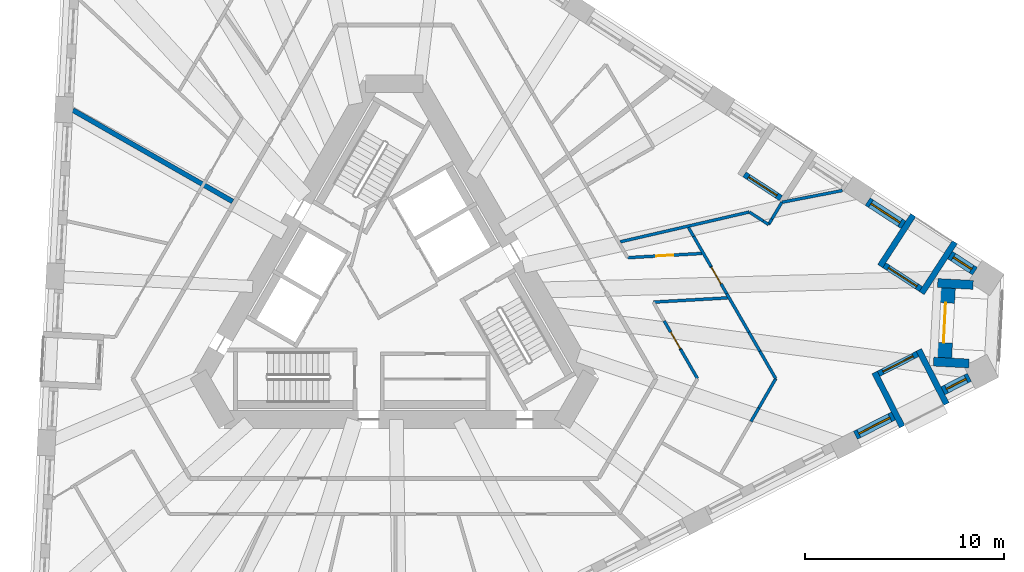
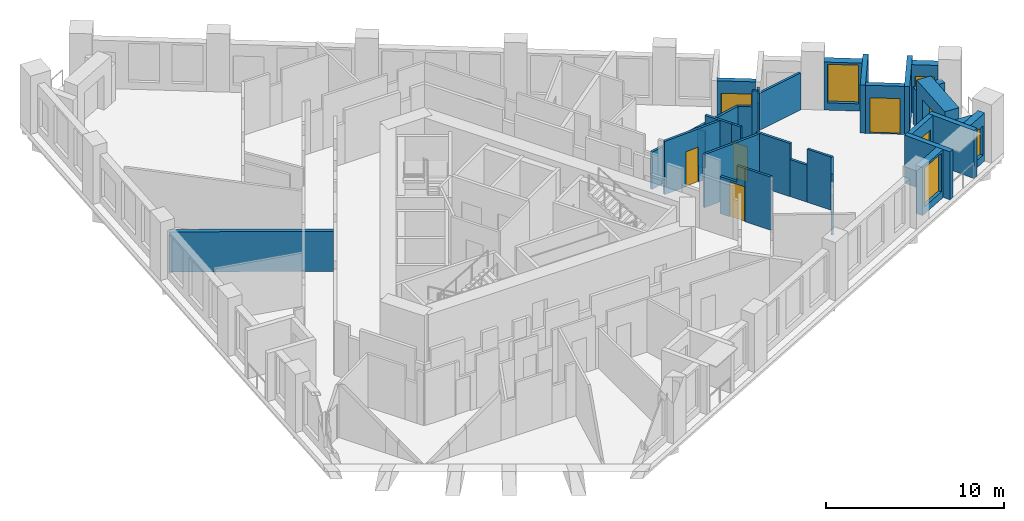
# One storey, part 6 of 13: 33 walls, 7 doors, 4 windows, 11 openings.
"""IFC4 building model written with IfcOpenShell, lengths in metres."""

from ifc_helpers import new_model, si_unit, direction, frame, frame_2d, origin, place, context, subcontext, project, spatial, polyline, rectangle, outline, extrude, material, layer, layer_set, type_object, element, fill, save


model = new_model("IFC4")

# Units and contexts
model_context = context("Model", 3, precision=1e-05, world=origin(), true_north=direction((0.0, 1.0)))
body_context = subcontext(model_context, "Body", "Model", "MODEL_VIEW")
ifc_project = project(units=[si_unit("LENGTHUNIT", "METRE"), si_unit("AREAUNIT", "SQUARE_METRE"), si_unit("VOLUMEUNIT", "CUBIC_METRE"), si_unit("PLANEANGLEUNIT", "RADIAN"), si_unit("MASSUNIT", "GRAM", prefix="KILO")], contexts=[model_context])

# Site, building, storey
site_placement = place(None, origin())
site = spatial("IfcSite", under=ifc_project, at=site_placement, CompositionType="ELEMENT")
building_placement = place(site_placement, origin())
building = spatial("IfcBuilding", under=site, at=building_placement, Name="Tramontana Tower", CompositionType="ELEMENT")
storey_placement = place(building_placement, frame((0.0, 0.0, 153.60009765625)))
storey = spatial("IfcBuildingStorey", under=building, at=storey_placement, Name="L35", CompositionType="ELEMENT", Elevation=153.60009765625)

# Wall, opening, window
ifc_material_1 = material(Name="Precast concrete 60 MPa", Category="concrete")
ifc_layer_1 = layer(ifc_material_1, 0.449951171875)
ifc_layer_set_1 = layer_set([ifc_layer_1], Name="Precast concrete 60 MPa, 450 mm")
wall_type_1 = type_object("IfcWallType", Name="EW1 Stone-faced precast wall 450", PredefinedType="SOLIDWALL", material=ifc_layer_set_1)
wall_1_placement = place(storey_placement, frame((23.1357421875, -7.094970703125, 0.0), z_axis=(0.0, 0.0, 1.0), x_axis=(0.890979432498, 0.454043666254, 0.0)))
wall_1 = element("IfcWall", 1, at=wall_1_placement, inside=storey, type_object=wall_type_1, Name="External wall L35 face 1 bay 6", PredefinedType="SOLIDWALL", context=body_context, shape_type="SweptSolid", body=[
    extrude(rectangle(XDim=2.140625, YDim=0.449951171875, at=frame_2d((1.0703125, 0.0))), origin(), (0.0, 0.0, 1.0), 3.2998046875),
])
opening_1_placement = place(wall_1_placement, frame((0.1953125, 0.0, 0.5)))
opening_1 = element("IfcOpeningElement", 2, at=opening_1_placement, cuts=wall_1, Name="Opening M2", PredefinedType="OPENING", context=body_context, shape_type="SweptSolid", body=[
    extrude(rectangle(XDim=1.75, YDim=2.64990234375, at=frame_2d((0.875, 1.324951171875))), frame((0.0, 0.23486328125, 0.0), z_axis=(0.0, -1.0, 0.0), x_axis=(1.0, 0.0, 0.0)), (0.0, 0.0, 1.0), 0.469970703125),
])
ifc_material_2 = material(Name="Aluminum frame, double glazing unit", Category="aluminium")
window_type_1 = type_object("IfcWindowType", Name="M2 Window 1.75 x 2.65", PartitioningType="SINGLE_PANEL", PredefinedType="WINDOW", material=ifc_material_2)
window_1_placement = place(opening_1_placement, origin())
window_1 = element("IfcWindow", 3, at=window_1_placement, inside=storey, type_object=window_type_1, Name="Window M2 L35 face 1 module 16", OverallHeight=2.64990234375, OverallWidth=1.75, PartitioningType="SINGLE_PANEL", PredefinedType="WINDOW", context=body_context, shape_type="SweptSolid", body=[
    extrude(rectangle(XDim=1.75, YDim=2.64990234375, at=frame_2d((0.875, 1.324951171875))), frame((0.0, 0.030029296875, 0.0), z_axis=(0.0, -1.0, 0.0), x_axis=(1.0, 0.0, 0.0)), (0.0, 0.0, 1.0), 0.06005859375),
])
fill(opening_1, window_1)

wall_2_placement = place(storey_placement, frame((27.529296875, -4.856201171875, 0.0), z_axis=(0.0, 0.0, 1.0), x_axis=(0.890994495378, 0.454014106836, 0.0)))
wall_2 = element("IfcWall", 4, at=wall_2_placement, inside=storey, type_object=wall_type_1, Name="External wall L35 face 1 bay 6", PredefinedType="SOLIDWALL", context=body_context, shape_type="SweptSolid", body=[
    extrude(rectangle(XDim=1.49072265625, YDim=0.449951171875, at=frame_2d((0.745361328125, 0.0))), origin(), (0.0, 0.0, 1.0), 3.2998046875),
])
opening_2_placement = place(wall_2_placement, frame((0.1953125, 0.0, 0.5)))
opening_2 = element("IfcOpeningElement", 5, at=opening_2_placement, cuts=wall_2, Name="Opening N2L", PredefinedType="OPENING", context=body_context, shape_type="SweptSolid", body=[
    extrude(rectangle(XDim=1.10009765625, YDim=2.0, at=frame_2d((0.550048828125, 1.0))), frame((0.0, 0.23486328125, 0.0), z_axis=(0.0, -1.0, 0.0), x_axis=(1.0, 0.0, 0.0)), (0.0, 0.0, 1.0), 0.469970703125),
])
ifc_material_3 = material(Name="Aluminum frame, double glazing unit", Category="aluminium")
window_type_2 = type_object("IfcWindowType", Name="N2L Window 1.1 x 2", PartitioningType="SINGLE_PANEL", PredefinedType="WINDOW", material=ifc_material_3)
window_2_placement = place(opening_2_placement, origin())
window_2 = element("IfcWindow", 6, at=window_2_placement, inside=storey, type_object=window_type_2, Name="Window N2L L35 face 1 module 18", OverallHeight=2.0, OverallWidth=1.10009765625, PartitioningType="SINGLE_PANEL", PredefinedType="WINDOW", context=body_context, shape_type="SweptSolid", body=[
    extrude(rectangle(XDim=1.10009765625, YDim=2.0, at=frame_2d((0.550048828125, 1.0))), frame((0.0, 0.030029296875, 0.0), z_axis=(0.0, -1.0, 0.0), x_axis=(1.0, 0.0, 0.0)), (0.0, 0.0, 1.0), 0.06005859375),
])
fill(opening_2, window_2)

wall_3_placement = place(storey_placement, frame((29.13623046875, 1.14013671875, 0.0), z_axis=(0.0, 0.0, 1.0), x_axis=(-0.838668089672, 0.544642851203, 0.0)))
wall_3 = element("IfcWall", 7, at=wall_3_placement, inside=storey, type_object=wall_type_1, Name="External wall L35 face 2 bay 1", PredefinedType="SOLIDWALL", context=body_context, shape_type="SweptSolid", body=[
    extrude(rectangle(XDim=1.490478515625, YDim=0.449951171875, at=frame_2d((0.7451171875, 0.0))), origin(), (0.0, 0.0, 1.0), 3.2998046875),
])
opening_3_placement = place(wall_3_placement, frame((0.1953125, 0.0, 0.5)))
opening_3 = element("IfcOpeningElement", 8, at=opening_3_placement, cuts=wall_3, Name="Opening N2L", PredefinedType="OPENING", context=body_context, shape_type="SweptSolid", body=[
    extrude(rectangle(XDim=1.10009765625, YDim=2.0, at=frame_2d((0.550048828125, 1.0))), frame((0.0, 0.23486328125, 0.0), z_axis=(0.0, -1.0, 0.0), x_axis=(1.0, 0.0, 0.0)), (0.0, 0.0, 1.0), 0.469970703125),
])
window_3_placement = place(opening_3_placement, origin())
window_3 = element("IfcWindow", 9, at=window_3_placement, inside=storey, type_object=window_type_2, Name="Window N2L L35 face 2 module 1", OverallHeight=2.0, OverallWidth=1.10009765625, PartitioningType="SINGLE_PANEL", PredefinedType="WINDOW", context=body_context, shape_type="SweptSolid", body=[
    extrude(rectangle(XDim=1.10009765625, YDim=2.0, at=frame_2d((0.550048828125, 1.0))), frame((0.0, 0.030029296875, 0.0), z_axis=(0.0, -1.0, 0.0), x_axis=(1.0, 0.0, 0.0)), (0.0, 0.0, 1.0), 0.06005859375),
])
fill(opening_3, window_3)

wall_4_placement = place(storey_placement, frame((25.5458984375, 3.471923828125, 0.0), z_axis=(0.0, 0.0, 1.0), x_axis=(-0.838675466927, 0.544631491171, 0.0)))
wall_4 = element("IfcWall", 10, at=wall_4_placement, inside=storey, type_object=wall_type_1, Name="External wall L35 face 2 bay 1", PredefinedType="SOLIDWALL", context=body_context, shape_type="SweptSolid", body=[
    extrude(rectangle(XDim=2.140380859375, YDim=0.449951171875, at=frame_2d((1.0703125, 0.0))), origin(), (0.0, 0.0, 1.0), 3.2998046875),
])
opening_4_placement = place(wall_4_placement, frame((0.1953125, 0.0, 0.5)))
opening_4 = element("IfcOpeningElement", 11, at=opening_4_placement, cuts=wall_4, Name="Opening M2", PredefinedType="OPENING", context=body_context, shape_type="SweptSolid", body=[
    extrude(rectangle(XDim=1.75, YDim=2.64990234375, at=frame_2d((0.875, 1.324951171875))), frame((0.0, 0.23486328125, 0.0), z_axis=(0.0, -1.0, 0.0), x_axis=(1.0, 0.0, 0.0)), (0.0, 0.0, 1.0), 0.469970703125),
])
window_4_placement = place(opening_4_placement, origin())
window_4 = element("IfcWindow", 12, at=window_4_placement, inside=storey, type_object=window_type_1, Name="Window M2 L35 face 2 module 3", OverallHeight=2.64990234375, OverallWidth=1.75, PartitioningType="SINGLE_PANEL", PredefinedType="WINDOW", context=body_context, shape_type="SweptSolid", body=[
    extrude(rectangle(XDim=1.75, YDim=2.64990234375, at=frame_2d((0.875, 1.324951171875))), frame((0.0, 0.030029296875, 0.0), z_axis=(0.0, -1.0, 0.0), x_axis=(1.0, 0.0, 0.0)), (0.0, 0.0, 1.0), 0.06005859375),
])
fill(opening_4, window_4)

# Walls
for number, where, z_axis, x_axis, name in (
    (13, (29.04296875, 0.45556640625, 0.0), (0.0, 0.0, 1.0), (-0.998625399692, 0.05241479839, 0.0), "Corner loggia side wall L35 K32l"),
    (14, (28.836181640625, -3.489013671875, 0.0), (0.0, 0.0, 1.0), (-0.998625399692, 0.05241479839, 0.0), "Corner loggia side wall L35 K32r"),
):
    element("IfcWall", number, at=place(storey_placement, frame(where, z_axis=z_axis, x_axis=x_axis)), inside=storey, type_object=wall_type_1, Name=name, PredefinedType="SOLIDWALL", context=body_context, shape_type="SweptSolid", body=[
        extrude(rectangle(XDim=1.779296875, YDim=0.449951171875, at=frame_2d((0.8896484375, 0.0))), origin(), (0.0, 0.0, 1.0), 2.5498046875),
    ])

# Wall, opening, door
ifc_material_4 = material(Name="Precast concrete 60 MPa", Category="concrete")
ifc_layer_2 = layer(ifc_material_4, 0.89990234375)
ifc_layer_set_2 = layer_set([ifc_layer_2], Name="EW2 Stone-faced corner loggia wall 900")
wall_type_2 = type_object("IfcWallType", Name="EW2 Stone-faced corner loggia wall 900", PredefinedType="SOLIDWALL", material=ifc_layer_set_2)
wall_5_placement = place(storey_placement, frame((27.70361328125, 0.300537109375, 0.0), z_axis=(0.0, 0.0, 1.0), x_axis=(-0.052317189757, -0.998630518088, 0.0)))
wall_5 = element("IfcWall", 15, at=wall_5_placement, inside=storey, type_object=wall_type_2, Name="Corner loggia wall L35 K32", PredefinedType="SOLIDWALL", context=body_context, shape_type="SweptSolid", body=[
    extrude(rectangle(XDim=3.5, YDim=0.89990234375, at=frame_2d((1.75, 0.0))), origin(), (0.0, 0.0, 1.0), 3.2998046875),
])
opening_5_placement = place(wall_5_placement, frame((0.75, 0.0, 0.0)))
opening_5 = element("IfcOpeningElement", 16, at=opening_5_placement, cuts=wall_5, Name="Opening BD-32C", PredefinedType="OPENING", context=body_context, shape_type="SweptSolid", body=[
    extrude(rectangle(XDim=2.0, YDim=2.39990234375, at=frame_2d((1.0, 1.199951171875))), frame((0.0, 0.4599609375, 0.0), z_axis=(0.0, -1.0, 0.0), x_axis=(1.0, 0.0, 0.0)), (0.0, 0.0, 1.0), 0.919921875),
])
ifc_material_5 = material(Name="Aluminum frame, double glazing unit", Category="aluminium")
door_type_1 = type_object("IfcDoorType", Name="BC1 Sliding door 2 x 2.4", OperationType="SLIDING_TO_LEFT", PredefinedType="DOOR", material=ifc_material_5)
door_1_placement = place(opening_5_placement, origin())
door_1 = element("IfcDoor", 17, at=door_1_placement, inside=storey, type_object=door_type_1, Name="Corner loggia door L35 K32", OperationType="SLIDING_TO_LEFT", OverallHeight=2.39990234375, OverallWidth=2.0, PredefinedType="DOOR", context=body_context, shape_type="SweptSolid", body=[
    extrude(rectangle(XDim=2.0, YDim=2.39990234375, at=frame_2d((1.0, 1.199951171875))), frame((0.0, 0.02490234375, 0.0), z_axis=(0.0, -1.0, 0.0), x_axis=(1.0, 0.0, 0.0)), (0.0, 0.0, 1.0), 0.050048828125),
])
fill(opening_5, door_1)

ifc_material_6 = material(Name="Precast concrete 60 MPa", Category="concrete")
ifc_layer_3 = layer(ifc_material_6, 0.300048828125)
ifc_layer_set_3 = layer_set([ifc_layer_3], Name="LW1 Stone-faced loggia wall 300")
wall_type_3 = type_object("IfcWallType", Name="LW1 Stone-faced loggia wall 300", PredefinedType="SOLIDWALL", material=ifc_layer_set_3)
wall_6_placement = place(storey_placement, frame((24.30029296875, -4.00439453125, 0.0), z_axis=(0.0, 0.0, 1.0), x_axis=(0.891013126725, 0.4539775413, 0.0)))
wall_6 = element("IfcWall", 18, at=wall_6_placement, inside=storey, type_object=wall_type_3, Name="Loggia wall L35 G3S1.16", PredefinedType="SOLIDWALL", context=body_context, shape_type="SweptSolid", body=[
    extrude(rectangle(XDim=2.1904296875, YDim=0.300048828125, at=frame_2d((1.09521484375, 0.0))), origin(), (0.0, 0.0, 1.0), 3.2998046875),
])
opening_6_placement = place(wall_6_placement, frame((0.245361328125, 0.0, 0.0)))
opening_6 = element("IfcOpeningElement", 19, at=opening_6_placement, cuts=wall_6, Name="Opening BD-3S1-16", PredefinedType="OPENING", context=body_context, shape_type="SweptSolid", body=[
    extrude(rectangle(XDim=1.699951171875, YDim=2.449951171875, at=frame_2d((0.85009765625, 1.22509765625))), frame((0.0, 0.159912109375, 0.0), z_axis=(0.0, -1.0, 0.0), x_axis=(1.0, 0.0, 0.0)), (0.0, 0.0, 1.0), 0.320068359375),
])
ifc_material_7 = material(Name="Aluminum frame, double glazing unit", Category="aluminium")
door_type_2 = type_object("IfcDoorType", Name="BD2 Sliding door 1.7 x 2.45", OperationType="SLIDING_TO_LEFT", PredefinedType="DOOR", material=ifc_material_7)
door_2_placement = place(opening_6_placement, origin())
door_2 = element("IfcDoor", 20, at=door_2_placement, inside=storey, type_object=door_type_2, Name="Loggia door L35 G3S1.16", OperationType="SLIDING_TO_LEFT", OverallHeight=2.449951171875, OverallWidth=1.699951171875, PredefinedType="DOOR", context=body_context, shape_type="SweptSolid", body=[
    extrude(rectangle(XDim=1.699951171875, YDim=2.449951171875, at=frame_2d((0.85009765625, 1.22509765625))), frame((0.0, 0.02490234375, 0.0), z_axis=(0.0, -1.0, 0.0), x_axis=(1.0, 0.0, 0.0)), (0.0, 0.0, 1.0), 0.050048828125),
])
fill(opening_6, door_2)

# Walls
wall_7_placement = place(storey_placement, frame((25.483154296875, -6.656494140625, 0.0), z_axis=(0.0, 0.0, 1.0), x_axis=(-0.453988129332, 0.891007731968, 0.0)))
element("IfcWall", 21, at=wall_7_placement, inside=storey, type_object=wall_type_3, Name="Loggia return L35 G3S1.16a", PredefinedType="SOLIDWALL", context=body_context, shape_type="SweptSolid", body=[
    extrude(rectangle(XDim=3.05029296875, YDim=0.300048828125, at=frame_2d((1.525146484375, 0.0))), origin(), (0.0, 0.0, 1.0), 3.2998046875),
])
wall_8_placement = place(storey_placement, frame((27.7021484375, -5.525634765625, 0.0), z_axis=(0.0, 0.0, 1.0), x_axis=(-0.453956959009, 0.891023613249, 0.0)))
element("IfcWall", 22, at=wall_8_placement, inside=storey, type_object=wall_type_3, Name="Loggia return L35 G3S1.16b", PredefinedType="SOLIDWALL", context=body_context, shape_type="SweptSolid", body=[
    extrude(rectangle(XDim=3.0498046875, YDim=0.300048828125, at=frame_2d((1.52490234375, 0.0))), origin(), (0.0, 0.0, 1.0), 3.2998046875),
])

# Wall, opening, door
wall_9_placement = place(storey_placement, frame((26.4228515625, 0.249267578125, 0.0), z_axis=(0.0, 0.0, 1.0), x_axis=(-0.838659986147, 0.544655329209, 0.0)))
wall_9 = element("IfcWall", 23, at=wall_9_placement, inside=storey, type_object=wall_type_3, Name="Loggia wall L35 G3S2.1", PredefinedType="SOLIDWALL", context=body_context, shape_type="SweptSolid", body=[
    extrude(rectangle(XDim=2.190673828125, YDim=0.300048828125, at=frame_2d((1.09521484375, 0.0))), origin(), (0.0, 0.0, 1.0), 3.2998046875),
])
opening_7_placement = place(wall_9_placement, frame((0.245361328125, 0.0, 0.0)))
opening_7 = element("IfcOpeningElement", 24, at=opening_7_placement, cuts=wall_9, Name="Opening BD-3S2-01", PredefinedType="OPENING", context=body_context, shape_type="SweptSolid", body=[
    extrude(rectangle(XDim=1.699951171875, YDim=2.449951171875, at=frame_2d((0.85009765625, 1.22509765625))), frame((0.0, 0.159912109375, 0.0), z_axis=(0.0, -1.0, 0.0), x_axis=(1.0, 0.0, 0.0)), (0.0, 0.0, 1.0), 0.320068359375),
])
door_3_placement = place(opening_7_placement, origin())
door_3 = element("IfcDoor", 25, at=door_3_placement, inside=storey, type_object=door_type_2, Name="Loggia door L35 G3S2.1", OperationType="SLIDING_TO_LEFT", OverallHeight=2.449951171875, OverallWidth=1.699951171875, PredefinedType="DOOR", context=body_context, shape_type="SweptSolid", body=[
    extrude(rectangle(XDim=1.699951171875, YDim=2.449951171875, at=frame_2d((0.85009765625, 1.22509765625))), frame((0.0, 0.02490234375, 0.0), z_axis=(0.0, -1.0, 0.0), x_axis=(1.0, 0.0, 0.0)), (0.0, 0.0, 1.0), 0.050048828125),
])
fill(opening_7, door_3)

# Walls
for number, where, z_axis, x_axis, name in (
    (26, (28.1279296875, 2.599853515625, 0.0), (0.0, 0.0, 1.0), (-0.544611292451, -0.838688583525, 0.0), "Loggia return L35 G3S2.1a"),
    (27, (26.039306640625, 3.956298828125, 0.0), (0.0, 0.0, 1.0), (-0.544611292451, -0.838688583525, 0.0), "Loggia return L35 G3S2.1b"),
):
    element("IfcWall", number, at=place(storey_placement, frame(where, z_axis=z_axis, x_axis=x_axis)), inside=storey, type_object=wall_type_3, Name=name, PredefinedType="SOLIDWALL", context=body_context, shape_type="SweptSolid", body=[
        extrude(rectangle(XDim=3.050048828125, YDim=0.300048828125, at=frame_2d((1.52490234375, 0.0))), origin(), (0.0, 0.0, 1.0), 3.2998046875),
    ])

# Wall, opening, door
wall_10_placement = place(storey_placement, frame((19.40185546875, 4.808837890625, 0.0), z_axis=(0.0, 0.0, 1.0), x_axis=(-0.838659986147, 0.544655329209, 0.0)))
wall_10 = element("IfcWall", 28, at=wall_10_placement, inside=storey, type_object=wall_type_3, Name="Loggia wall L35 G3S2.4", PredefinedType="SOLIDWALL", context=body_context, shape_type="SweptSolid", body=[
    extrude(rectangle(XDim=2.190673828125, YDim=0.300048828125, at=frame_2d((1.09521484375, 0.0))), origin(), (0.0, 0.0, 1.0), 3.2998046875),
])
opening_8_placement = place(wall_10_placement, frame((0.245361328125, 0.0, 0.0)))
opening_8 = element("IfcOpeningElement", 29, at=opening_8_placement, cuts=wall_10, Name="Opening BD-3S2-04", PredefinedType="OPENING", context=body_context, shape_type="SweptSolid", body=[
    extrude(rectangle(XDim=1.699951171875, YDim=2.449951171875, at=frame_2d((0.85009765625, 1.22509765625))), frame((0.0, 0.159912109375, 0.0), z_axis=(0.0, -1.0, 0.0), x_axis=(1.0, 0.0, 0.0)), (0.0, 0.0, 1.0), 0.320068359375),
])
door_4_placement = place(opening_8_placement, origin())
door_4 = element("IfcDoor", 30, at=door_4_placement, inside=storey, type_object=door_type_2, Name="Loggia door L35 G3S2.4", OperationType="SLIDING_TO_LEFT", OverallHeight=2.449951171875, OverallWidth=1.699951171875, PredefinedType="DOOR", context=body_context, shape_type="SweptSolid", body=[
    extrude(rectangle(XDim=1.699951171875, YDim=2.449951171875, at=frame_2d((0.85009765625, 1.22509765625))), frame((0.0, 0.02490234375, 0.0), z_axis=(0.0, -1.0, 0.0), x_axis=(1.0, 0.0, 0.0)), (0.0, 0.0, 1.0), 0.050048828125),
])
fill(opening_8, door_4)

# Wall
ifc_material_8 = material(Name="Gypsum board partition")
ifc_layer_4 = layer(ifc_material_8, 0.14990234375)
ifc_layer_set_4 = layer_set([ifc_layer_4], Name="PARTITION 150")
wall_type_4 = type_object("IfcWallType", Name="PARTITION 150", PredefinedType="PARTITIONING", material=ifc_layer_set_4)
wall_11_placement = place(storey_placement, frame((11.334716796875, 2.617431640625, 0.0), z_axis=(0.0, 0.0, 1.0), x_axis=(0.974352177645, 0.225028518011, 0.0)))
element("IfcWall", 31, at=wall_11_placement, inside=storey, type_object=wall_type_4, Name="Wall v32-pw24-0", PredefinedType="PARTITIONING", context=body_context, shape_type="SweptSolid", body=[
    extrude(rectangle(XDim=6.646240234375, YDim=0.14990234375, at=frame_2d((3.3232421875, 0.0))), origin(), (0.0, 0.0, 1.0), 2.5498046875),
])

# Wall, opening, door
wall_12_placement = place(storey_placement, frame((11.708251953125, 1.82080078125, 0.0), z_axis=(0.0, 0.0, 1.0), x_axis=(0.998371120979, 0.0570535257, 0.0)))
wall_12 = element("IfcWall", 32, at=wall_12_placement, inside=storey, type_object=wall_type_4, Name="Wall v32-pw26", PredefinedType="PARTITIONING", context=body_context, shape_type="SweptSolid", body=[
    extrude(rectangle(XDim=3.722900390625, YDim=0.14990234375, at=frame_2d((1.861328125, 0.0))), origin(), (0.0, 0.0, 1.0), 3.64990234375),
])
opening_9_placement = place(wall_12_placement, frame((1.4365234375, 0.0, 0.0)))
opening_9 = element("IfcOpeningElement", 33, at=opening_9_placement, cuts=wall_12, Name="Opening B3C-16", PredefinedType="OPENING", context=body_context, shape_type="SweptSolid", body=[
    extrude(rectangle(XDim=0.85009765625, YDim=2.39990234375, at=frame_2d((0.425048828125, 1.199951171875))), frame((0.0, 0.0849609375, 0.0), z_axis=(0.0, -1.0, 0.0), x_axis=(1.0, 0.0, 0.0)), (0.0, 0.0, 1.0), 0.169921875),
])
ifc_material_9 = material(Name="Painted timber", Category="wood")
door_type_3 = type_object("IfcDoorType", Name="DOOR BATH 850", OperationType="SINGLE_SWING_LEFT", PredefinedType="DOOR", material=ifc_material_9)
door_5_placement = place(opening_9_placement, origin())
door_5 = element("IfcDoor", 34, at=door_5_placement, inside=storey, type_object=door_type_3, Name="Door B3C-16", OperationType="SINGLE_SWING_RIGHT", OverallHeight=2.39990234375, OverallWidth=0.85009765625, PredefinedType="DOOR", context=body_context, shape_type="SweptSolid", body=[
    extrude(rectangle(XDim=0.85009765625, YDim=2.39990234375, at=frame_2d((0.425048828125, 1.199951171875))), frame((0.0, 0.02490234375, 0.0), z_axis=(0.0, -1.0, 0.0), x_axis=(1.0, 0.0, 0.0)), (0.0, 0.0, 1.0), 0.050048828125),
])
fill(opening_9, door_5)

wall_13_placement = place(storey_placement, frame((13.541748046875, -1.355224609375, 0.0), z_axis=(0.0, 0.0, 1.0), x_axis=(0.500021249735, -0.866013134896, 0.0)))
wall_13 = element("IfcWall", 35, at=wall_13_placement, inside=storey, type_object=wall_type_4, Name="Wall v32-pw27-1", PredefinedType="PARTITIONING", context=body_context, shape_type="SweptSolid", body=[
    extrude(outline(polyline([(0.0, 0.0), (1.650390625, 0.0), (1.650146484375, 3.64990234375), (1.103759765625, 3.64990234375), (1.103759765625, 2.5498046875), (0.0, 2.5498046875), (0.0, 0.0)])), frame((0.0, 0.074951171875, 0.0), z_axis=(0.0, -1.0, 0.0), x_axis=(1.0, 0.0, 0.0)), (0.0, 0.0, 1.0), 0.14990234375),
])
opening_10_placement = place(wall_13_placement, frame((0.650146484375, 0.0, 0.0)))
opening_10 = element("IfcOpeningElement", 36, at=opening_10_placement, cuts=wall_13, Name="Opening B3C-15", PredefinedType="OPENING", context=body_context, shape_type="SweptSolid", body=[
    extrude(rectangle(XDim=0.949951171875, YDim=2.39990234375, at=frame_2d((0.47509765625, 1.199951171875))), frame((0.0, 0.0849609375, 0.0), z_axis=(0.0, -1.0, 0.0), x_axis=(1.0, 0.0, 0.0)), (0.0, 0.0, 1.0), 0.169921875),
])
ifc_material_10 = material(Name="Painted timber", Category="wood")
door_type_4 = type_object("IfcDoorType", Name="DOOR ROOM 950", OperationType="SINGLE_SWING_LEFT", PredefinedType="DOOR", material=ifc_material_10)
door_6_placement = place(opening_10_placement, origin())
door_6 = element("IfcDoor", 37, at=door_6_placement, inside=storey, type_object=door_type_4, Name="Door B3C-15", OperationType="SINGLE_SWING_LEFT", OverallHeight=2.39990234375, OverallWidth=0.949951171875, PredefinedType="DOOR", context=body_context, shape_type="SweptSolid", body=[
    extrude(rectangle(XDim=0.949951171875, YDim=2.39990234375, at=frame_2d((0.47509765625, 1.199951171875))), frame((0.0, 0.02490234375, 0.0), z_axis=(0.0, -1.0, 0.0), x_axis=(1.0, 0.0, 0.0)), (0.0, 0.0, 1.0), 0.050048828125),
])
fill(opening_10, door_6)

# Walls
wall_14_placement = place(storey_placement, frame((14.366943359375, -2.784423828125, 0.0), z_axis=(0.0, 0.0, 1.0), x_axis=(0.500017996867, -0.866015013039, 0.0)))
element("IfcWall", 38, at=wall_14_placement, inside=storey, type_object=wall_type_4, Name="Wall v32-pw27-2", PredefinedType="PARTITIONING", context=body_context, shape_type="SweptSolid", body=[
    extrude(rectangle(XDim=1.6923828125, YDim=0.14990234375, at=frame_2d((0.84619140625, 0.0))), origin(), (0.0, 0.0, 1.0), 3.64990234375),
])
wall_15_placement = place(storey_placement, frame((14.76171875, 3.33203125, 0.0), z_axis=(0.0, 0.0, 1.0), x_axis=(0.499818422106, -0.866130212453, 0.0)))
element("IfcWall", 39, at=wall_15_placement, inside=storey, type_object=wall_type_4, Name="Wall v32-pw30-0", PredefinedType="PARTITIONING", context=body_context, shape_type="SweptSolid", body=[
    extrude(rectangle(XDim=0.513916015625, YDim=0.14990234375, at=frame_2d((0.2568359375, 0.0))), origin(), (0.0, 0.0, 1.0), 2.5498046875),
])
wall_16_placement = place(storey_placement, frame((15.0185546875, 2.886962890625, 0.0), z_axis=(0.0, 0.0, 1.0), x_axis=(0.499997407846, -0.86602690036, 0.0)))
element("IfcWall", 40, at=wall_16_placement, inside=storey, type_object=wall_type_4, Name="Wall v32-pw30-1", PredefinedType="PARTITIONING", context=body_context, shape_type="SweptSolid", body=[
    extrude(rectangle(XDim=1.7421875, YDim=0.14990234375, at=frame_2d((0.87109375, 0.0))), origin(), (0.0, 0.0, 1.0), 3.64990234375),
])

# Wall, opening, door
wall_17_placement = place(storey_placement, frame((15.8896484375, 1.378173828125, 0.0), z_axis=(0.0, 0.0, 1.0), x_axis=(0.500094043707, -0.865971100816, 0.0)))
wall_17 = element("IfcWall", 41, at=wall_17_placement, inside=storey, type_object=wall_type_4, Name="Wall v32-pw30-2", PredefinedType="PARTITIONING", context=body_context, shape_type="SweptSolid", body=[
    extrude(outline(polyline([(0.0, 0.0), (1.573486328125, 0.0), (1.5732421875, 2.5498046875), (0.578125, 2.5498046875), (0.578125, 3.64990234375), (0.0, 3.64990234375), (0.0, 0.0)])), frame((0.0, 0.074951171875, 0.0), z_axis=(0.0, -1.0, 0.0), x_axis=(1.0, 0.0, 0.0)), (0.0, 0.0, 1.0), 0.14990234375),
])
opening_11_placement = place(wall_17_placement, frame((0.050048828125, 0.0, 0.0)))
opening_11 = element("IfcOpeningElement", 42, at=opening_11_placement, cuts=wall_17, Name="Opening B3C-17", PredefinedType="OPENING", context=body_context, shape_type="SweptSolid", body=[
    extrude(rectangle(XDim=0.949951171875, YDim=2.39990234375, at=frame_2d((0.47509765625, 1.199951171875))), frame((0.0, 0.0849609375, 0.0), z_axis=(0.0, -1.0, 0.0), x_axis=(1.0, 0.0, 0.0)), (0.0, 0.0, 1.0), 0.169921875),
])
door_7_placement = place(opening_11_placement, origin())
door_7 = element("IfcDoor", 43, at=door_7_placement, inside=storey, type_object=door_type_4, Name="Door B3C-17", OperationType="SINGLE_SWING_LEFT", OverallHeight=2.39990234375, OverallWidth=0.949951171875, PredefinedType="DOOR", context=body_context, shape_type="SweptSolid", body=[
    extrude(rectangle(XDim=0.949951171875, YDim=2.39990234375, at=frame_2d((0.47509765625, 1.199951171875))), frame((0.0, 0.02490234375, 0.0), z_axis=(0.0, -1.0, 0.0), x_axis=(1.0, 0.0, 0.0)), (0.0, 0.0, 1.0), 0.050048828125),
])
fill(opening_11, door_7)

# Walls
wall_18_placement = place(storey_placement, frame((16.676513671875, 0.015625, 0.0), z_axis=(0.0, 0.0, 1.0), x_axis=(0.499958946799, -0.866049104564, 0.0)))
element("IfcWall", 44, at=wall_18_placement, inside=storey, type_object=wall_type_4, Name="Wall v32-pw30-3", PredefinedType="PARTITIONING", context=body_context, shape_type="SweptSolid", body=[
    extrude(rectangle(XDim=2.234130859375, YDim=0.14990234375, at=frame_2d((1.1171875, 0.0))), origin(), (0.0, 0.0, 1.0), 3.64990234375),
])
wall_19_placement = place(storey_placement, frame((17.79345703125, -1.919189453125, 0.0), z_axis=(0.0, 0.0, 1.0), x_axis=(0.500111757231, -0.865960871102, 0.0)))
element("IfcWall", 45, at=wall_19_placement, inside=storey, type_object=wall_type_4, Name="Wall v32-pw30-4", PredefinedType="PARTITIONING", context=body_context, shape_type="SweptSolid", body=[
    extrude(rectangle(XDim=1.103759765625, YDim=0.14990234375, at=frame_2d((0.5517578125, 0.0))), origin(), (0.0, 0.0, 1.0), 2.5498046875),
])
wall_20_placement = place(storey_placement, frame((18.345458984375, -2.875, 0.0), z_axis=(0.0, 0.0, 1.0), x_axis=(0.499926564348, -0.866067797727, 0.0)))
element("IfcWall", 46, at=wall_20_placement, inside=storey, type_object=wall_type_4, Name="Wall v32-pw30-5", PredefinedType="PARTITIONING", context=body_context, shape_type="SweptSolid", body=[
    extrude(rectangle(XDim=1.587646484375, YDim=0.14990234375, at=frame_2d((0.7939453125, 0.0))), origin(), (0.0, 0.0, 1.0), 3.64990234375),
])
wall_21_placement = place(storey_placement, frame((16.712646484375, -0.197021484375, 0.0), z_axis=(0.0, 0.0, 1.0), x_axis=(-0.998371120979, -0.0570535257, 0.0)))
element("IfcWall", 47, at=wall_21_placement, inside=storey, type_object=wall_type_4, Name="Wall v32-pw32", PredefinedType="PARTITIONING", context=body_context, shape_type="SweptSolid", body=[
    extrude(rectangle(XDim=3.722900390625, YDim=0.14990234375, at=frame_2d((1.861328125, 0.0))), origin(), (0.0, 0.0, 1.0), 3.64990234375),
])
wall_22_placement = place(storey_placement, frame((17.810791015625, 4.113037109375, 0.0), z_axis=(0.0, 0.0, 1.0), x_axis=(0.838605037595, -0.544739929618, 0.0)))
element("IfcWall", 48, at=wall_22_placement, inside=storey, type_object=wall_type_4, Name="Wall v32-pw34-0", PredefinedType="PARTITIONING", context=body_context, shape_type="SweptSolid", body=[
    extrude(rectangle(XDim=0.8291015625, YDim=0.14990234375, at=frame_2d((0.41455078125, 0.0))), origin(), (0.0, 0.0, 1.0), 2.5498046875),
])
wall_23_placement = place(storey_placement, frame((18.506103515625, 3.661376953125, 0.0), z_axis=(0.0, 0.0, 1.0), x_axis=(0.838478007434, -0.544935437506, 0.0)))
element("IfcWall", 49, at=wall_23_placement, inside=storey, type_object=wall_type_4, Name="Wall v32-pw34-1", PredefinedType="PARTITIONING", context=body_context, shape_type="SweptSolid", body=[
    extrude(rectangle(XDim=0.324462890625, YDim=0.14990234375, at=frame_2d((0.162109375, 0.0))), origin(), (0.0, 0.0, 1.0), 3.64990234375),
])
wall_24_placement = place(storey_placement, frame((18.781005859375, 3.4853515625, 0.0), z_axis=(0.0, 0.0, 1.0), x_axis=(0.512010084496, 0.858979437108, 0.0)))
element("IfcWall", 50, at=wall_24_placement, inside=storey, type_object=wall_type_4, Name="Wall v32-pw35-0", PredefinedType="PARTITIONING", context=body_context, shape_type="SweptSolid", body=[
    extrude(rectangle(XDim=0.318115234375, YDim=0.14990234375, at=frame_2d((0.1591796875, 0.0))), origin(), (0.0, 0.0, 1.0), 3.64990234375),
])
wall_25_placement = place(storey_placement, frame((18.94384765625, 3.758544921875, 0.0), z_axis=(0.0, 0.0, 1.0), x_axis=(0.511711371719, 0.859157419832, 0.0)))
element("IfcWall", 51, at=wall_25_placement, inside=storey, type_object=wall_type_4, Name="Wall v32-pw35-1", PredefinedType="PARTITIONING", context=body_context, shape_type="SweptSolid", body=[
    extrude(rectangle(XDim=0.98095703125, YDim=0.14990234375, at=frame_2d((0.490478515625, 0.0))), origin(), (0.0, 0.0, 1.0), 2.5498046875),
])
wall_26_placement = place(storey_placement, frame((19.13916015625, -4.25, 0.0), z_axis=(0.0, 0.0, 1.0), x_axis=(-0.49996337474, -0.866046548355, 0.0)))
element("IfcWall", 52, at=wall_26_placement, inside=storey, type_object=wall_type_4, Name="Wall v32-pw36-0", PredefinedType="PARTITIONING", context=body_context, shape_type="SweptSolid", body=[
    extrude(rectangle(XDim=1.696044921875, YDim=0.14990234375, at=frame_2d((0.84814453125, 0.0))), origin(), (0.0, 0.0, 1.0), 3.64990234375),
])
wall_27_placement = place(storey_placement, frame((18.291259765625, -5.71875, 0.0), z_axis=(0.0, 0.0, 1.0), x_axis=(-0.50012328804, -0.865954211699, 0.0)))
element("IfcWall", 53, at=wall_27_placement, inside=storey, type_object=wall_type_4, Name="Wall v32-pw36-1", PredefinedType="PARTITIONING", context=body_context, shape_type="SweptSolid", body=[
    extrude(rectangle(XDim=0.790771484375, YDim=0.14990234375, at=frame_2d((0.3955078125, 0.0))), origin(), (0.0, 0.0, 1.0), 2.75),
])
wall_28_placement = place(storey_placement, frame((19.44580078125, 4.601318359375, 0.0), z_axis=(0.0, 0.0, 1.0), x_axis=(0.981607587995, 0.190909777622, 0.0)))
element("IfcWall", 54, at=wall_28_placement, inside=storey, type_object=wall_type_4, Name="Wall v32-pw37-0", PredefinedType="PARTITIONING", context=body_context, shape_type="SweptSolid", body=[
    extrude(rectangle(XDim=3.0947265625, YDim=0.14990234375, at=frame_2d((1.54736328125, 0.0))), origin(), (0.0, 0.0, 1.0), 2.5498046875),
])
ifc_material_11 = material(Name="Blockwork", Category="masonry")
ifc_layer_5 = layer(ifc_material_11, 0.25)
ifc_layer_set_5 = layer_set([ifc_layer_5], Name="PARTY WALL 250")
wall_type_5 = type_object("IfcWallType", Name="PARTY WALL 250", PredefinedType="SOLIDWALL", material=ifc_layer_set_5)
wall_29_placement = place(storey_placement, frame((-8.11669921875, 4.641357421875, 0.0), z_axis=(0.0, 0.0, 1.0), x_axis=(-0.86808540496, 0.496414876586, 0.0)))
element("IfcWall", 55, at=wall_29_placement, inside=storey, type_object=wall_type_5, Name="Wall v32-pw09-0", PredefinedType="SOLIDWALL", context=body_context, shape_type="SweptSolid", body=[
    extrude(rectangle(XDim=9.241455078125, YDim=0.25, at=frame_2d((4.62060546875, 0.0))), origin(), (0.0, 0.0, 1.0), 2.75),
])

save(model, "model.ifc")
